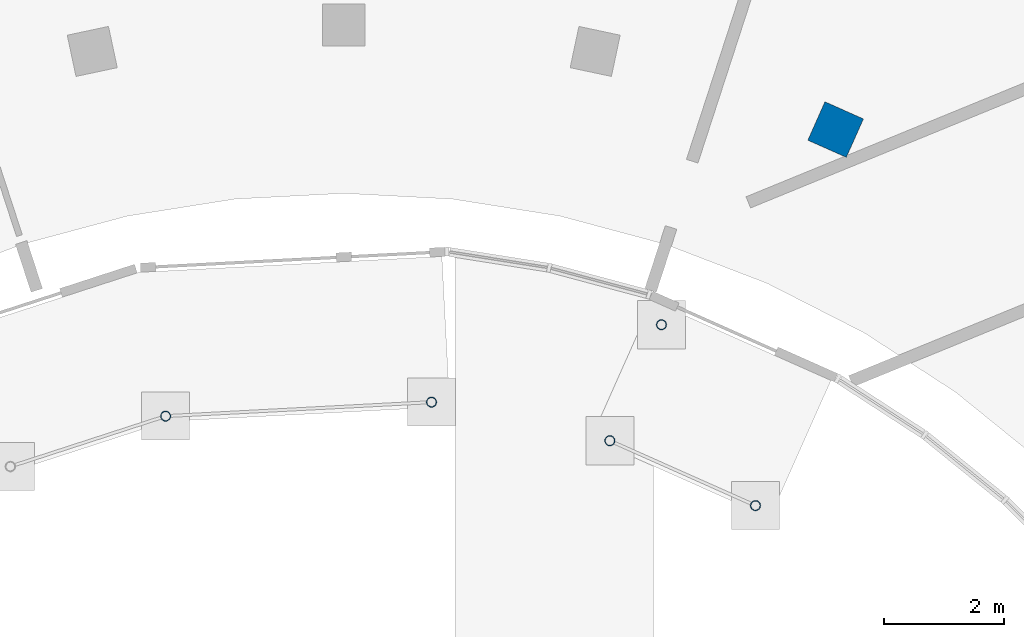
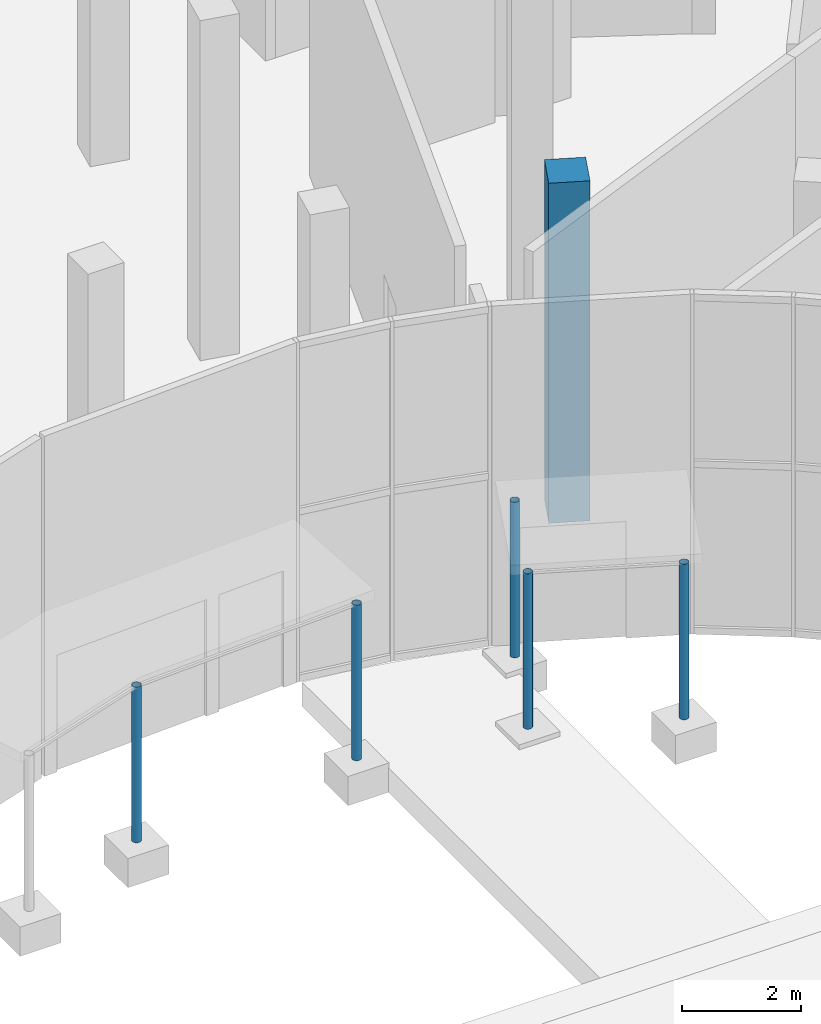
# One storey, part 5 of 60: 6 columns.
"""IFC4 building model written with IfcOpenShell, lengths in metres."""

import ifcopenshell
import ifcopenshell.guid

model = None  # the IFC model being written
_history = None  # IfcOwnerHistory: only IFC2X3 demands one
_inside = {}  # id of a spatial element -> (the spatial element, [elements in it])
_under = {}  # id of a project, library or spatial element -> (it, [spatial elements below it])
_declared = {}  # id of a project -> (the project, [libraries it declares])
_typed = {}  # id of a type object -> (the type object, [elements of that type])
_made_of = {}  # id of a material, layer set ... -> (it, [elements and type objects made of it])


def new_model(schema):
    """Start an empty IFC model of exactly this schema.

    Asked for "IFC4X3", IfcOpenShell would pick the latest addendum, in which some entities
    have other attributes; the version numbers below select the first issue.
    IFC2X3 requires an IfcOwnerHistory on every rooted entity: one is made here for all.
    """
    global model, _history
    if schema == "IFC4X3":
        model = ifcopenshell.file(schema_version=(4, 3, 0, 0))
    else:
        model = ifcopenshell.file(schema=schema)
    _inside.clear()
    _under.clear()
    _declared.clear()
    _typed.clear()
    _made_of.clear()
    _history = None
    if model.schema == "IFC2X3":
        org = make("IfcOrganization", Name="unknown")
        user = make(
            "IfcPersonAndOrganization",
            ThePerson=make("IfcPerson", FamilyName="unknown"),
            TheOrganization=org,
        )
        app = make(
            "IfcApplication",
            ApplicationDeveloper=org,
            Version="unknown",
            ApplicationFullName="unknown",
            ApplicationIdentifier="unknown",
        )
        _history = make(
            "IfcOwnerHistory",
            OwningUser=user,
            OwningApplication=app,
            ChangeAction="ADDED",
            CreationDate=0,
        )
    return model


def make(cls, **values):
    """One entity of the class cls with the attributes given. An attribute that is None is left unset."""
    return model.create_entity(
        cls, **{name: value for name, value in values.items() if value is not None}
    )


def rooted(cls, **values):
    """An entity with a GlobalId (a new one), such as an element, a storey or a relation."""
    return make(cls, GlobalId=ifcopenshell.guid.new(), OwnerHistory=_history, **values)


def si_unit(unit_type, name, prefix=None):
    """IfcSIUnit, for example si_unit("LENGTHUNIT", "METRE", prefix="MILLI")."""
    return make("IfcSIUnit", UnitType=unit_type, Prefix=prefix, Name=name)


def assignment(units):
    """IfcUnitAssignment: the units of a project."""
    return None if units is None else make("IfcUnitAssignment", Units=units)


def point(xyz):
    """IfcCartesianPoint."""
    return None if xyz is None else make("IfcCartesianPoint", Coordinates=xyz)


def direction(xyz):
    """IfcDirection."""
    return None if xyz is None else make("IfcDirection", DirectionRatios=xyz)


def frame(location, z_axis=None, x_axis=None):
    """IfcAxis2Placement3D, a coordinate frame: its origin and axes. An axis left out is left unset."""
    return make(
        "IfcAxis2Placement3D",
        Location=point(location),
        Axis=direction(z_axis),
        RefDirection=direction(x_axis),
    )


def frame_2d(location, x_axis=None):
    """IfcAxis2Placement2D, a coordinate frame in the plane: its origin and x axis."""
    return make(
        "IfcAxis2Placement2D", Location=point(location), RefDirection=direction(x_axis)
    )


def origin():
    """The frame at (0, 0, 0) with its axes left unset."""
    return frame((0.0, 0.0, 0.0))


def origin_2d():
    """The frame at (0, 0) in the plane with its x axis left unset."""
    return frame_2d((0.0, 0.0))


def place(relative_to, where):
    """IfcLocalPlacement: puts the frame where relative to a parent placement (None: the world)."""
    return make(
        "IfcLocalPlacement", PlacementRelTo=relative_to, RelativePlacement=where
    )


def context(
    kind, dimensions, precision=None, world=None, true_north=None, identifier=None
):
    """IfcGeometricRepresentationContext, for example the 3D "Model" context."""
    return make(
        "IfcGeometricRepresentationContext",
        ContextIdentifier=identifier,
        ContextType=kind,
        CoordinateSpaceDimension=dimensions,
        Precision=precision,
        WorldCoordinateSystem=world,
        TrueNorth=true_north,
    )


def subcontext(parent, identifier, kind, view, scale=None):
    """IfcGeometricRepresentationSubContext, for example "Body" below "Model"."""
    return make(
        "IfcGeometricRepresentationSubContext",
        ContextIdentifier=identifier,
        ContextType=kind,
        ParentContext=parent,
        TargetScale=scale,
        TargetView=view,
    )


def project(units=None, contexts=None):
    """IfcProject with its units and contexts."""
    return rooted(
        "IfcProject",
        Name="project",
        RepresentationContexts=contexts,
        UnitsInContext=assignment(units),
    )


def spatial(cls, under=None, at=None, **own):
    """A site, building, storey or space (cls), placed at a placement, below another one or the project."""
    s = rooted(cls, ObjectPlacement=at, **own)
    if under is not None:
        _under.setdefault(under.id(), (under, []))[1].append(s)
    return s


def profile(cls, at=None, kind="AREA", **sizes):
    """A parametric profile (cls). Its sizes go by their IFC names, for example OverallWidth=200.0."""
    return make(cls, ProfileType=kind, Position=at, **sizes)


def rectangle(**sizes):
    """IfcRectangleProfileDef."""
    return profile("IfcRectangleProfileDef", **sizes)


def hollow_circle(**sizes):
    """IfcCircleHollowProfileDef."""
    return profile("IfcCircleHollowProfileDef", **sizes)


def extrude(swept, where, along, depth):
    """IfcExtrudedAreaSolid: the profile swept, set in the frame where, extruded along a direction by depth."""
    return make(
        "IfcExtrudedAreaSolid",
        SweptArea=swept,
        Position=where,
        ExtrudedDirection=direction(along),
        Depth=depth,
    )


def shape(context_of_items, identifier, shape_type, items):
    """IfcShapeRepresentation: the items that make up one representation, for example the "Body"."""
    return make(
        "IfcShapeRepresentation",
        ContextOfItems=context_of_items,
        RepresentationIdentifier=identifier,
        RepresentationType=shape_type,
        Items=items,
    )


def material(Name=None, Category=None):
    """IfcMaterial."""
    return make("IfcMaterial", Name=Name, Category=Category)


def material_profile(
    of_material, cross_section, Name=None, Category=None, Priority=None
):
    """IfcMaterialProfile: a cross section and its material."""
    return make(
        "IfcMaterialProfile",
        Name=Name,
        Material=of_material,
        Profile=cross_section,
        Priority=Priority,
        Category=Category,
    )


def profile_set(profiles, Name=None, composite=None):
    """IfcMaterialProfileSet."""
    return make(
        "IfcMaterialProfileSet",
        Name=Name,
        MaterialProfiles=profiles,
        CompositeProfile=composite,
    )


def made_of(thing, what):
    """Note that an element or type object is made of a material, layer set ...; save() writes the relation."""
    if what is not None:
        _made_of.setdefault(what.id(), (what, []))[1].append(thing)
    return thing


def type_object(cls, material=None, **own):
    """A type object (cls), such as IfcWallType, which elements share."""
    return made_of(rooted(cls, **own), material)


def element(
    cls,
    number,
    at=None,
    inside=None,
    cuts=None,
    type_object=None,
    material=None,
    context=None,
    identifier="Body",
    shape_type=None,
    held_by="IfcProductDefinitionShape",
    body=None,
    shapes=None,
    **own,
):
    """One element of the class cls, such as IfcWall. Its Tag is "e" and its number.

    at: its placement. inside: the storey or other place that contains it. cuts: it is an
    opening in that element (IfcRelVoidsElement). A single representation is given by context,
    identifier, shape_type and body (its items); several are given by shapes. held_by: the class
    of the entity that holds the representations. save() writes the other relations.
    """
    e = rooted(cls, Tag="e%d" % number, ObjectPlacement=at, **own)
    if body is not None:
        shapes = [shape(context, identifier, shape_type, body)]
    if shapes is not None:
        e.Representation = make(held_by, Representations=shapes)
    if inside is not None:
        _inside.setdefault(inside.id(), (inside, []))[1].append(e)
    if cuts is not None:
        rooted(
            "IfcRelVoidsElement", RelatingBuildingElement=cuts, RelatedOpeningElement=e
        )
    if type_object is not None:
        _typed.setdefault(type_object.id(), (type_object, []))[1].append(e)
    return made_of(e, material)


def aggregate(whole, parts):
    """IfcRelAggregates: a whole, such as a stair, and the parts it consists of."""
    return rooted("IfcRelAggregates", RelatingObject=whole, RelatedObjects=parts)


def save(model, path):
    """Write the relations noted so far, then the file.

    IfcRelAggregates (storeys below a building ...), IfcRelContainedInSpatialStructure (elements
    in a storey), IfcRelDefinesByType, IfcRelAssociatesMaterial and IfcRelDeclares: one each for
    every whole, place, type object, material and project.
    """
    for whole, parts in _under.values():
        aggregate(whole, parts)
    for where, things in _inside.values():
        rooted(
            "IfcRelContainedInSpatialStructure",
            RelatedElements=things,
            RelatingStructure=where,
        )
    for kind, things in _typed.values():
        rooted("IfcRelDefinesByType", RelatedObjects=things, RelatingType=kind)
    for what, things in _made_of.values():
        rooted("IfcRelAssociatesMaterial", RelatedObjects=things, RelatingMaterial=what)
    for by, libraries in _declared.values():
        rooted("IfcRelDeclares", RelatingContext=by, RelatedDefinitions=libraries)
    model.write(path)


model = new_model("IFC4")

# Units and contexts
model_context = context("Model", 3, precision=1e-05, world=origin(), true_north=direction((0.0, 1.0)))
body_context = subcontext(model_context, "Body", "Model", "MODEL_VIEW")
ifc_project = project(units=[si_unit("LENGTHUNIT", "METRE"), si_unit("AREAUNIT", "SQUARE_METRE"), si_unit("VOLUMEUNIT", "CUBIC_METRE"), si_unit("PLANEANGLEUNIT", "RADIAN"), si_unit("MASSUNIT", "GRAM", prefix="KILO")], contexts=[model_context])

# Site, building, storey
site_placement = place(None, origin())
site = spatial("IfcSite", under=ifc_project, at=site_placement, CompositionType="ELEMENT")
building_placement = place(site_placement, origin())
building = spatial("IfcBuilding", under=site, at=building_placement, Name="Stone Belt Terrace Tower", CompositionType="ELEMENT")
storey_placement = place(building_placement, origin())
storey = spatial("IfcBuildingStorey", under=building, at=storey_placement, Name="L00", CompositionType="ELEMENT", Elevation=0.0)

# Columns
ifc_material_1 = material(Name="Structural steel C345", Category="steel")
ifc_material_profile_1 = material_profile(ifc_material_1, hollow_circle(Radius=0.083984375, WallThickness=0.008056640625, at=origin_2d()), Name="Structural steel C345 CHS 168x8")
ifc_profile_set_1 = profile_set([ifc_material_profile_1], Name="Structural steel C345")
column_type_1 = type_object("IfcColumnType", Name="Canopy post CHS 168 x 8", PredefinedType="COLUMN", material=ifc_profile_set_1)
for number, where, z_axis, x_axis, name in (
    (1, (-2.9599609375, 13.599853515625, 0.0), (0.0, 0.0, 1.0), (1.0, 0.0, 0.0), "Canopy post L00 00-07"),
    (2, (1.459228515625, 13.832275390625, 0.0), (0.0, 0.0, 1.0), (1.0, 0.0, 0.0), "Canopy post L00 00-07"),
    (3, (4.4228515625, 13.191162109375, 0.0), (0.0, 0.0, 1.0), (1.0, 0.0, 0.0), "Canopy post L00 00-11"),
    (4, (6.84326171875, 12.113525390625, 0.0), (0.0, 0.0, 1.0), (1.0, 0.0, 0.0), "Canopy post L00 00-11"),
    (5, (5.28125, 15.11865234375, 0.0), (0.0, 0.0, 1.0), (1.0, 0.0, 0.0), "Canopy post L00 00-11"),
):
    element("IfcColumn", number, at=place(storey_placement, frame(where, z_axis=z_axis, x_axis=x_axis)), inside=storey, type_object=column_type_1, Name=name, PredefinedType="COLUMN", context=body_context, shape_type="SweptSolid", body=[
        extrude(hollow_circle(Radius=0.083984375, WallThickness=0.008056640625, at=origin_2d()), origin(), (0.0, 0.0, 1.0), 3.199951171875),
    ])
ifc_material_2 = material(Name="Concrete B60", Category="concrete")
ifc_material_profile_2 = material_profile(ifc_material_2, rectangle(XDim=0.699951171875, YDim=0.699951171875, at=origin_2d()), Name="RC 700x700")
ifc_profile_set_2 = profile_set([ifc_material_profile_2], Name="Concrete B60")
column_type_2 = type_object("IfcColumnType", Name="Column RC 700x700 B60", PredefinedType="COLUMN", material=ifc_profile_set_2)
column_placement = place(storey_placement, frame((8.17529296875, 18.3623046875, 0.0), z_axis=(0.0, 0.0, 1.0), x_axis=(0.913545457643, -0.406736643076, 0.0)))
element("IfcColumn", 6, at=column_placement, inside=storey, type_object=column_type_2, Name="Column L00 M26", PredefinedType="COLUMN", context=body_context, shape_type="SweptSolid", body=[
    extrude(rectangle(XDim=0.699951171875, YDim=0.699951171875, at=origin_2d()), origin(), (0.0, 0.0, 1.0), 7.0),
])

save(model, "model.ifc")
